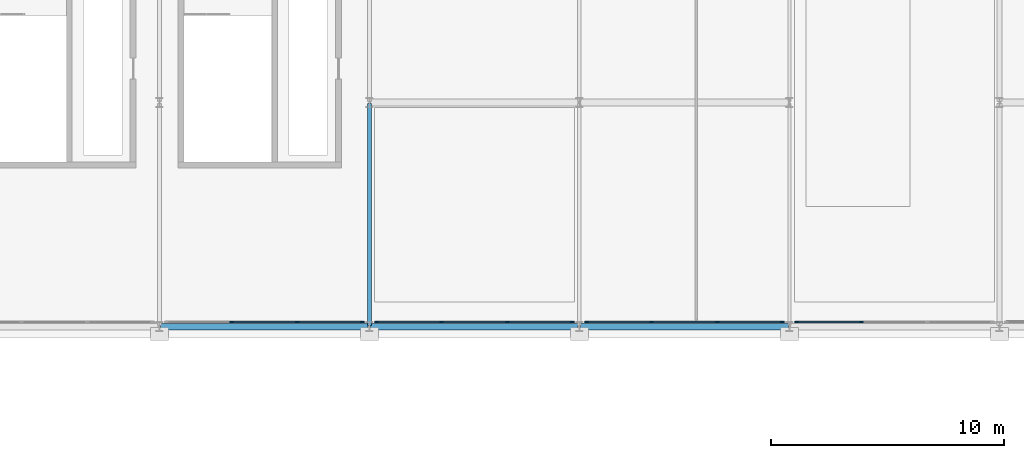
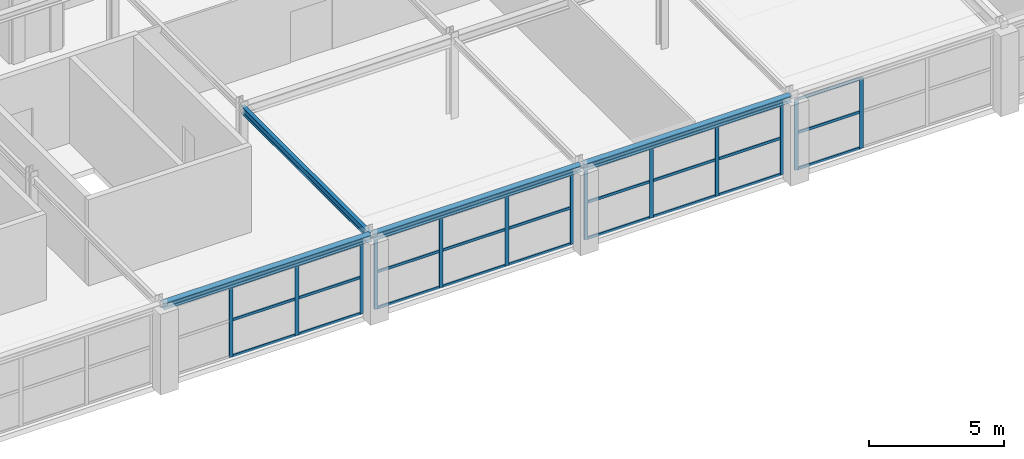
# One storey, part 25 of 52: 40 members, 4 beams, 4 elements without a shape of their own.
"""IFC4 building model written with IfcOpenShell, lengths in metres."""

import ifcopenshell
import ifcopenshell.guid

model = None  # the IFC model being written
_history = None  # IfcOwnerHistory: only IFC2X3 demands one
_inside = {}  # id of a spatial element -> (the spatial element, [elements in it])
_under = {}  # id of a project, library or spatial element -> (it, [spatial elements below it])
_declared = {}  # id of a project -> (the project, [libraries it declares])
_typed = {}  # id of a type object -> (the type object, [elements of that type])
_made_of = {}  # id of a material, layer set ... -> (it, [elements and type objects made of it])


def new_model(schema):
    """Start an empty IFC model of exactly this schema.

    Asked for "IFC4X3", IfcOpenShell would pick the latest addendum, in which some entities
    have other attributes; the version numbers below select the first issue.
    IFC2X3 requires an IfcOwnerHistory on every rooted entity: one is made here for all.
    """
    global model, _history
    if schema == "IFC4X3":
        model = ifcopenshell.file(schema_version=(4, 3, 0, 0))
    else:
        model = ifcopenshell.file(schema=schema)
    _inside.clear()
    _under.clear()
    _declared.clear()
    _typed.clear()
    _made_of.clear()
    _history = None
    if model.schema == "IFC2X3":
        org = make("IfcOrganization", Name="unknown")
        user = make(
            "IfcPersonAndOrganization",
            ThePerson=make("IfcPerson", FamilyName="unknown"),
            TheOrganization=org,
        )
        app = make(
            "IfcApplication",
            ApplicationDeveloper=org,
            Version="unknown",
            ApplicationFullName="unknown",
            ApplicationIdentifier="unknown",
        )
        _history = make(
            "IfcOwnerHistory",
            OwningUser=user,
            OwningApplication=app,
            ChangeAction="ADDED",
            CreationDate=0,
        )
    return model


def make(cls, **values):
    """One entity of the class cls with the attributes given. An attribute that is None is left unset."""
    return model.create_entity(
        cls, **{name: value for name, value in values.items() if value is not None}
    )


def rooted(cls, **values):
    """An entity with a GlobalId (a new one), such as an element, a storey or a relation."""
    return make(cls, GlobalId=ifcopenshell.guid.new(), OwnerHistory=_history, **values)


def si_unit(unit_type, name, prefix=None):
    """IfcSIUnit, for example si_unit("LENGTHUNIT", "METRE", prefix="MILLI")."""
    return make("IfcSIUnit", UnitType=unit_type, Prefix=prefix, Name=name)


def assignment(units):
    """IfcUnitAssignment: the units of a project."""
    return None if units is None else make("IfcUnitAssignment", Units=units)


def point(xyz):
    """IfcCartesianPoint."""
    return None if xyz is None else make("IfcCartesianPoint", Coordinates=xyz)


def direction(xyz):
    """IfcDirection."""
    return None if xyz is None else make("IfcDirection", DirectionRatios=xyz)


def frame(location, z_axis=None, x_axis=None):
    """IfcAxis2Placement3D, a coordinate frame: its origin and axes. An axis left out is left unset."""
    return make(
        "IfcAxis2Placement3D",
        Location=point(location),
        Axis=direction(z_axis),
        RefDirection=direction(x_axis),
    )


def frame_2d(location, x_axis=None):
    """IfcAxis2Placement2D, a coordinate frame in the plane: its origin and x axis."""
    return make(
        "IfcAxis2Placement2D", Location=point(location), RefDirection=direction(x_axis)
    )


def origin():
    """The frame at (0, 0, 0) with its axes left unset."""
    return frame((0.0, 0.0, 0.0))


def origin_2d():
    """The frame at (0, 0) in the plane with its x axis left unset."""
    return frame_2d((0.0, 0.0))


def place(relative_to, where):
    """IfcLocalPlacement: puts the frame where relative to a parent placement (None: the world)."""
    return make(
        "IfcLocalPlacement", PlacementRelTo=relative_to, RelativePlacement=where
    )


def context(
    kind, dimensions, precision=None, world=None, true_north=None, identifier=None
):
    """IfcGeometricRepresentationContext, for example the 3D "Model" context."""
    return make(
        "IfcGeometricRepresentationContext",
        ContextIdentifier=identifier,
        ContextType=kind,
        CoordinateSpaceDimension=dimensions,
        Precision=precision,
        WorldCoordinateSystem=world,
        TrueNorth=true_north,
    )


def subcontext(parent, identifier, kind, view, scale=None):
    """IfcGeometricRepresentationSubContext, for example "Body" below "Model"."""
    return make(
        "IfcGeometricRepresentationSubContext",
        ContextIdentifier=identifier,
        ContextType=kind,
        ParentContext=parent,
        TargetScale=scale,
        TargetView=view,
    )


def project(units=None, contexts=None):
    """IfcProject with its units and contexts."""
    return rooted(
        "IfcProject",
        Name="project",
        RepresentationContexts=contexts,
        UnitsInContext=assignment(units),
    )


def spatial(cls, under=None, at=None, **own):
    """A site, building, storey or space (cls), placed at a placement, below another one or the project."""
    s = rooted(cls, ObjectPlacement=at, **own)
    if under is not None:
        _under.setdefault(under.id(), (under, []))[1].append(s)
    return s


def profile(cls, at=None, kind="AREA", **sizes):
    """A parametric profile (cls). Its sizes go by their IFC names, for example OverallWidth=200.0."""
    return make(cls, ProfileType=kind, Position=at, **sizes)


def rectangle(**sizes):
    """IfcRectangleProfileDef."""
    return profile("IfcRectangleProfileDef", **sizes)


def i_section(**sizes):
    """IfcIShapeProfileDef."""
    return profile("IfcIShapeProfileDef", **sizes)


def extrude(swept, where, along, depth):
    """IfcExtrudedAreaSolid: the profile swept, set in the frame where, extruded along a direction by depth."""
    return make(
        "IfcExtrudedAreaSolid",
        SweptArea=swept,
        Position=where,
        ExtrudedDirection=direction(along),
        Depth=depth,
    )


def shape(context_of_items, identifier, shape_type, items):
    """IfcShapeRepresentation: the items that make up one representation, for example the "Body"."""
    return make(
        "IfcShapeRepresentation",
        ContextOfItems=context_of_items,
        RepresentationIdentifier=identifier,
        RepresentationType=shape_type,
        Items=items,
    )


def material(Name=None, Category=None):
    """IfcMaterial."""
    return make("IfcMaterial", Name=Name, Category=Category)


def layer(
    of_material, thickness, ventilated=None, Name=None, Category=None, Priority=None
):
    """IfcMaterialLayer: one layer of a wall or slab, of a material (None: an air gap)."""
    return make(
        "IfcMaterialLayer",
        Material=of_material,
        LayerThickness=thickness,
        IsVentilated=ventilated,
        Name=Name,
        Category=Category,
        Priority=Priority,
    )


def layer_set(layers, Name=None):
    """IfcMaterialLayerSet."""
    return make("IfcMaterialLayerSet", MaterialLayers=layers, LayerSetName=Name)


def material_profile(
    of_material, cross_section, Name=None, Category=None, Priority=None
):
    """IfcMaterialProfile: a cross section and its material."""
    return make(
        "IfcMaterialProfile",
        Name=Name,
        Material=of_material,
        Profile=cross_section,
        Priority=Priority,
        Category=Category,
    )


def profile_set(profiles, Name=None, composite=None):
    """IfcMaterialProfileSet."""
    return make(
        "IfcMaterialProfileSet",
        Name=Name,
        MaterialProfiles=profiles,
        CompositeProfile=composite,
    )


def made_of(thing, what):
    """Note that an element or type object is made of a material, layer set ...; save() writes the relation."""
    if what is not None:
        _made_of.setdefault(what.id(), (what, []))[1].append(thing)
    return thing


def type_object(cls, material=None, **own):
    """A type object (cls), such as IfcWallType, which elements share."""
    return made_of(rooted(cls, **own), material)


def element(
    cls,
    number,
    at=None,
    inside=None,
    cuts=None,
    type_object=None,
    material=None,
    context=None,
    identifier="Body",
    shape_type=None,
    held_by="IfcProductDefinitionShape",
    body=None,
    shapes=None,
    **own,
):
    """One element of the class cls, such as IfcWall. Its Tag is "e" and its number.

    at: its placement. inside: the storey or other place that contains it. cuts: it is an
    opening in that element (IfcRelVoidsElement). A single representation is given by context,
    identifier, shape_type and body (its items); several are given by shapes. held_by: the class
    of the entity that holds the representations. save() writes the other relations.
    """
    e = rooted(cls, Tag="e%d" % number, ObjectPlacement=at, **own)
    if body is not None:
        shapes = [shape(context, identifier, shape_type, body)]
    if shapes is not None:
        e.Representation = make(held_by, Representations=shapes)
    if inside is not None:
        _inside.setdefault(inside.id(), (inside, []))[1].append(e)
    if cuts is not None:
        rooted(
            "IfcRelVoidsElement", RelatingBuildingElement=cuts, RelatedOpeningElement=e
        )
    if type_object is not None:
        _typed.setdefault(type_object.id(), (type_object, []))[1].append(e)
    return made_of(e, material)


def aggregate(whole, parts):
    """IfcRelAggregates: a whole, such as a stair, and the parts it consists of."""
    return rooted("IfcRelAggregates", RelatingObject=whole, RelatedObjects=parts)


def save(model, path):
    """Write the relations noted so far, then the file.

    IfcRelAggregates (storeys below a building ...), IfcRelContainedInSpatialStructure (elements
    in a storey), IfcRelDefinesByType, IfcRelAssociatesMaterial and IfcRelDeclares: one each for
    every whole, place, type object, material and project.
    """
    for whole, parts in _under.values():
        aggregate(whole, parts)
    for where, things in _inside.values():
        rooted(
            "IfcRelContainedInSpatialStructure",
            RelatedElements=things,
            RelatingStructure=where,
        )
    for kind, things in _typed.values():
        rooted("IfcRelDefinesByType", RelatedObjects=things, RelatingType=kind)
    for what, things in _made_of.values():
        rooted("IfcRelAssociatesMaterial", RelatedObjects=things, RelatingMaterial=what)
    for by, libraries in _declared.values():
        rooted("IfcRelDeclares", RelatingContext=by, RelatedDefinitions=libraries)
    model.write(path)


model = new_model("IFC4")

# Units and contexts
model_context = context("Model", 3, precision=1e-05, world=origin(), true_north=direction((0.0, 1.0)))
body_context = subcontext(model_context, "Body", "Model", "MODEL_VIEW")
ifc_project = project(units=[si_unit("LENGTHUNIT", "METRE"), si_unit("AREAUNIT", "SQUARE_METRE"), si_unit("VOLUMEUNIT", "CUBIC_METRE"), si_unit("PLANEANGLEUNIT", "RADIAN"), si_unit("MASSUNIT", "GRAM", prefix="KILO")], contexts=[model_context])

# Site, building, storey
site_placement = place(None, origin())
site = spatial("IfcSite", under=ifc_project, at=site_placement, CompositionType="ELEMENT")
building_placement = place(site_placement, origin())
building = spatial("IfcBuilding", under=site, at=building_placement, Name="Myrtia Square Station", CompositionType="ELEMENT")
storey_placement = place(building_placement, frame((0.0, 0.0, 15.0)))
storey = spatial("IfcBuildingStorey", under=building, at=storey_placement, Name="L03", CompositionType="ELEMENT", Elevation=15.0)

# Beam
ifc_material_1 = material(Name="Steel S355", Category="steel")
ifc_material_profile_1 = material_profile(ifc_material_1, i_section(OverallWidth=0.159912109375, OverallDepth=0.330078125, WebThickness=0.007568359375, FlangeThickness=0.011474609375, FilletRadius=0.01806640625, at=origin_2d()), Name="IPE 330")
ifc_profile_set_1 = profile_set([ifc_material_profile_1], Name="Steel S355")
beam_type_1 = type_object("IfcBeamType", Name="BM-IPE330", PredefinedType="BEAM", material=ifc_profile_set_1)
beam_placement = place(storey_placement, frame((144.0, 86.449951171875, 3.489990234375), z_axis=(0.0, 1.0, 0.0), x_axis=(-1.0, 0.0, 0.0)))
element("IfcBeam", 1, at=beam_placement, inside=storey, type_object=beam_type_1, Name="Structural girder BMY-L03-0846", PredefinedType="BEAM", context=body_context, shape_type="SweptSolid", body=[
    extrude(i_section(OverallWidth=0.159912109375, OverallDepth=0.330078125, WebThickness=0.007568359375, FlangeThickness=0.011474609375, FilletRadius=0.01806640625, at=origin_2d()), origin(), (0.0, 0.0, 1.0), 9.5),
])

# Curtain wall, members
ifc_material_2 = material(Name="Dark bronze anodised aluminium", Category="aluminium")
ifc_layer = layer(ifc_material_2, 0.159912109375, Name="Dark bronze anodised aluminium")
ifc_layer_set = layer_set([ifc_layer], Name="Dark bronze anodised aluminium")
curtain_wall_type = type_object("IfcCurtainWallType", Name="CW-TYPE-41-845x320", PredefinedType="USERDEFINED", material=ifc_layer_set)
curtain_wall_1_placement = place(storey_placement, origin())
curtain_wall_1 = element("IfcCurtainWall", 2, at=curtain_wall_1_placement, inside=storey, type_object=curtain_wall_type, Name="Concourse curtain wall CW-L03-125", ObjectType="CONCOURSE CURTAIN WALL", PredefinedType="USERDEFINED")
ifc_material_profile_2 = material_profile(ifc_material_2, rectangle(XDim=0.06005859375, YDim=0.159912109375, at=origin_2d()), Name="ALU-M 60x160")
ifc_profile_set_2 = profile_set([ifc_material_profile_2], Name="Dark bronze anodised aluminium")
member_type_1 = type_object("IfcMemberType", Name="CWM-60x160", PredefinedType="MULLION", material=ifc_profile_set_2)
member_1_placement = place(storey_placement, frame((138.091552734375, 86.60009765625, 0.0), z_axis=(0.0, 0.0, 1.0), x_axis=(0.0, 1.0, 0.0)))
member_1 = element("IfcMember", 3, at=member_1_placement, type_object=member_type_1, Name="CW-125 mullion 2", PredefinedType="MULLION", context=body_context, shape_type="SweptSolid", body=[
    extrude(rectangle(XDim=0.06005859375, YDim=0.159912109375, at=origin_2d()), origin(), (0.0, 0.0, 1.0), 3.199951171875),
])
member_2_placement = place(storey_placement, frame((140.908447265625, 86.60009765625, 0.0), z_axis=(0.0, 0.0, 1.0), x_axis=(0.0, 1.0, 0.0)))
member_2 = element("IfcMember", 4, at=member_2_placement, type_object=member_type_1, Name="CW-125 mullion 3", PredefinedType="MULLION", context=body_context, shape_type="SweptSolid", body=[
    extrude(rectangle(XDim=0.06005859375, YDim=0.159912109375, at=origin_2d()), origin(), (0.0, 0.0, 1.0), 3.199951171875),
])
member_3_placement = place(storey_placement, frame((143.695068359375, 86.60009765625, 0.0), z_axis=(0.0, 0.0, 1.0), x_axis=(0.0, 1.0, 0.0)))
member_3 = element("IfcMember", 5, at=member_3_placement, type_object=member_type_1, Name="CW-125 mullion 4", PredefinedType="MULLION", context=body_context, shape_type="SweptSolid", body=[
    extrude(rectangle(XDim=0.06005859375, YDim=0.159912109375, at=origin_2d()), origin(), (0.0, 0.0, 1.0), 3.199951171875),
])

curtain_wall_2_placement = place(storey_placement, origin())
curtain_wall_2 = element("IfcCurtainWall", 6, at=curtain_wall_2_placement, inside=storey, type_object=curtain_wall_type, Name="Concourse curtain wall CW-L03-129", ObjectType="CONCOURSE CURTAIN WALL", PredefinedType="USERDEFINED")
member_4_placement = place(storey_placement, frame((144.304931640625, 86.60009765625, 0.0), z_axis=(0.0, 0.0, 1.0), x_axis=(0.0, 1.0, 0.0)))
member_4 = element("IfcMember", 7, at=member_4_placement, type_object=member_type_1, Name="CW-129 mullion 1", PredefinedType="MULLION", context=body_context, shape_type="SweptSolid", body=[
    extrude(rectangle(XDim=0.06005859375, YDim=0.159912109375, at=origin_2d()), origin(), (0.0, 0.0, 1.0), 3.199951171875),
])
member_5_placement = place(storey_placement, frame((147.091552734375, 86.60009765625, 0.0), z_axis=(0.0, 0.0, 1.0), x_axis=(0.0, 1.0, 0.0)))
member_5 = element("IfcMember", 8, at=member_5_placement, type_object=member_type_1, Name="CW-129 mullion 2", PredefinedType="MULLION", context=body_context, shape_type="SweptSolid", body=[
    extrude(rectangle(XDim=0.06005859375, YDim=0.159912109375, at=origin_2d()), origin(), (0.0, 0.0, 1.0), 3.199951171875),
])
member_6_placement = place(storey_placement, frame((149.908447265625, 86.60009765625, 0.0), z_axis=(0.0, 0.0, 1.0), x_axis=(0.0, 1.0, 0.0)))
member_6 = element("IfcMember", 9, at=member_6_placement, type_object=member_type_1, Name="CW-129 mullion 3", PredefinedType="MULLION", context=body_context, shape_type="SweptSolid", body=[
    extrude(rectangle(XDim=0.06005859375, YDim=0.159912109375, at=origin_2d()), origin(), (0.0, 0.0, 1.0), 3.199951171875),
])
member_7_placement = place(storey_placement, frame((152.695068359375, 86.60009765625, 0.0), z_axis=(0.0, 0.0, 1.0), x_axis=(0.0, 1.0, 0.0)))
member_7 = element("IfcMember", 10, at=member_7_placement, type_object=member_type_1, Name="CW-129 mullion 4", PredefinedType="MULLION", context=body_context, shape_type="SweptSolid", body=[
    extrude(rectangle(XDim=0.06005859375, YDim=0.159912109375, at=origin_2d()), origin(), (0.0, 0.0, 1.0), 3.199951171875),
])

curtain_wall_3_placement = place(storey_placement, origin())
curtain_wall_3 = element("IfcCurtainWall", 11, at=curtain_wall_3_placement, inside=storey, type_object=curtain_wall_type, Name="Concourse curtain wall CW-L03-133", ObjectType="CONCOURSE CURTAIN WALL", PredefinedType="USERDEFINED")
member_8_placement = place(storey_placement, frame((153.304931640625, 86.60009765625, 0.0), z_axis=(0.0, 0.0, 1.0), x_axis=(0.0, 1.0, 0.0)))
member_8 = element("IfcMember", 12, at=member_8_placement, type_object=member_type_1, Name="CW-133 mullion 1", PredefinedType="MULLION", context=body_context, shape_type="SweptSolid", body=[
    extrude(rectangle(XDim=0.06005859375, YDim=0.159912109375, at=origin_2d()), origin(), (0.0, 0.0, 1.0), 3.199951171875),
])
member_9_placement = place(storey_placement, frame((156.091552734375, 86.60009765625, 0.0), z_axis=(0.0, 0.0, 1.0), x_axis=(0.0, 1.0, 0.0)))
member_9 = element("IfcMember", 13, at=member_9_placement, type_object=member_type_1, Name="CW-133 mullion 2", PredefinedType="MULLION", context=body_context, shape_type="SweptSolid", body=[
    extrude(rectangle(XDim=0.06005859375, YDim=0.159912109375, at=origin_2d()), origin(), (0.0, 0.0, 1.0), 3.199951171875),
])
member_10_placement = place(storey_placement, frame((158.908447265625, 86.60009765625, 0.0), z_axis=(0.0, 0.0, 1.0), x_axis=(0.0, 1.0, 0.0)))
member_10 = element("IfcMember", 14, at=member_10_placement, type_object=member_type_1, Name="CW-133 mullion 3", PredefinedType="MULLION", context=body_context, shape_type="SweptSolid", body=[
    extrude(rectangle(XDim=0.06005859375, YDim=0.159912109375, at=origin_2d()), origin(), (0.0, 0.0, 1.0), 3.199951171875),
])
member_11_placement = place(storey_placement, frame((161.695068359375, 86.60009765625, 0.0), z_axis=(0.0, 0.0, 1.0), x_axis=(0.0, 1.0, 0.0)))
member_11 = element("IfcMember", 15, at=member_11_placement, type_object=member_type_1, Name="CW-133 mullion 4", PredefinedType="MULLION", context=body_context, shape_type="SweptSolid", body=[
    extrude(rectangle(XDim=0.06005859375, YDim=0.159912109375, at=origin_2d()), origin(), (0.0, 0.0, 1.0), 3.199951171875),
])

curtain_wall_4_placement = place(storey_placement, origin())
curtain_wall_4 = element("IfcCurtainWall", 16, at=curtain_wall_4_placement, inside=storey, type_object=curtain_wall_type, Name="Concourse curtain wall CW-L03-138", ObjectType="CONCOURSE CURTAIN WALL", PredefinedType="USERDEFINED")
member_12_placement = place(storey_placement, frame((162.304931640625, 86.60009765625, 0.0), z_axis=(0.0, 0.0, 1.0), x_axis=(0.0, 1.0, 0.0)))
member_12 = element("IfcMember", 17, at=member_12_placement, type_object=member_type_1, Name="CW-138 mullion 1", PredefinedType="MULLION", context=body_context, shape_type="SweptSolid", body=[
    extrude(rectangle(XDim=0.06005859375, YDim=0.159912109375, at=origin_2d()), origin(), (0.0, 0.0, 1.0), 3.199951171875),
])
member_13_placement = place(storey_placement, frame((165.091552734375, 86.60009765625, 0.0), z_axis=(0.0, 0.0, 1.0), x_axis=(0.0, 1.0, 0.0)))
member_13 = element("IfcMember", 18, at=member_13_placement, type_object=member_type_1, Name="CW-138 mullion 2", PredefinedType="MULLION", context=body_context, shape_type="SweptSolid", body=[
    extrude(rectangle(XDim=0.06005859375, YDim=0.159912109375, at=origin_2d()), origin(), (0.0, 0.0, 1.0), 3.199951171875),
])

# Member
ifc_material_profile_3 = material_profile(ifc_material_2, rectangle(XDim=0.06005859375, YDim=0.1201171875, at=origin_2d()), Name="ALU-T 60x120")
ifc_profile_set_3 = profile_set([ifc_material_profile_3], Name="Dark bronze anodised aluminium")
member_type_2 = type_object("IfcMemberType", Name="CWT-60x120", PredefinedType="USERDEFINED", material=ifc_profile_set_3)
member_14_placement = place(storey_placement, frame((138.12158203125, 86.60009765625, 0.030029296875), z_axis=(1.0, 0.0, 0.0), x_axis=(0.0, 1.0, 0.0)))
member_14 = element("IfcMember", 19, at=member_14_placement, type_object=member_type_2, Name="CW-125 transom 2.1", ObjectType="TRANSOM", PredefinedType="USERDEFINED", context=body_context, shape_type="SweptSolid", body=[
    extrude(rectangle(XDim=0.06005859375, YDim=0.1201171875, at=origin_2d()), origin(), (0.0, 0.0, 1.0), 2.7568359375),
])

member_15_placement = place(storey_placement, frame((138.12158203125, 86.60009765625, 1.6640625), z_axis=(1.0, 0.0, 0.0), x_axis=(0.0, 1.0, 0.0)))
member_15 = element("IfcMember", 20, at=member_15_placement, type_object=member_type_2, Name="CW-125 transom 2.2", ObjectType="TRANSOM", PredefinedType="USERDEFINED", context=body_context, shape_type="SweptSolid", body=[
    extrude(rectangle(XDim=0.06005859375, YDim=0.1201171875, at=origin_2d()), origin(), (0.0, 0.0, 1.0), 2.7568359375),
])

member_16_placement = place(storey_placement, frame((138.12158203125, 86.60009765625, 3.169921875), z_axis=(1.0, 0.0, 0.0), x_axis=(0.0, 1.0, 0.0)))
member_16 = element("IfcMember", 21, at=member_16_placement, type_object=member_type_2, Name="CW-125 transom 2.3", ObjectType="TRANSOM", PredefinedType="USERDEFINED", context=body_context, shape_type="SweptSolid", body=[
    extrude(rectangle(XDim=0.06005859375, YDim=0.1201171875, at=origin_2d()), origin(), (0.0, 0.0, 1.0), 2.7568359375),
])

member_17_placement = place(storey_placement, frame((140.938232421875, 86.60009765625, 0.030029296875), z_axis=(1.0, 0.0, 0.0), x_axis=(0.0, 1.0, 0.0)))
member_17 = element("IfcMember", 22, at=member_17_placement, type_object=member_type_2, Name="CW-125 transom 3.1", ObjectType="TRANSOM", PredefinedType="USERDEFINED", context=body_context, shape_type="SweptSolid", body=[
    extrude(rectangle(XDim=0.06005859375, YDim=0.1201171875, at=origin_2d()), origin(), (0.0, 0.0, 1.0), 2.726806640625),
])

member_18_placement = place(storey_placement, frame((140.938232421875, 86.60009765625, 1.6640625), z_axis=(1.0, 0.0, 0.0), x_axis=(0.0, 1.0, 0.0)))
member_18 = element("IfcMember", 23, at=member_18_placement, type_object=member_type_2, Name="CW-125 transom 3.2", ObjectType="TRANSOM", PredefinedType="USERDEFINED", context=body_context, shape_type="SweptSolid", body=[
    extrude(rectangle(XDim=0.06005859375, YDim=0.1201171875, at=origin_2d()), origin(), (0.0, 0.0, 1.0), 2.726806640625),
])

member_19_placement = place(storey_placement, frame((140.938232421875, 86.60009765625, 3.169921875), z_axis=(1.0, 0.0, 0.0), x_axis=(0.0, 1.0, 0.0)))
member_19 = element("IfcMember", 24, at=member_19_placement, type_object=member_type_2, Name="CW-125 transom 3.3", ObjectType="TRANSOM", PredefinedType="USERDEFINED", context=body_context, shape_type="SweptSolid", body=[
    extrude(rectangle(XDim=0.06005859375, YDim=0.1201171875, at=origin_2d()), origin(), (0.0, 0.0, 1.0), 2.726806640625),
])

aggregate(curtain_wall_1, [member_1, member_2, member_3, member_14, member_15, member_16, member_17, member_18, member_19])

member_20_placement = place(storey_placement, frame((144.3349609375, 86.60009765625, 0.030029296875), z_axis=(1.0, 0.0, 0.0), x_axis=(0.0, 1.0, 0.0)))
member_20 = element("IfcMember", 25, at=member_20_placement, type_object=member_type_2, Name="CW-129 transom 1.1", ObjectType="TRANSOM", PredefinedType="USERDEFINED", context=body_context, shape_type="SweptSolid", body=[
    extrude(rectangle(XDim=0.06005859375, YDim=0.1201171875, at=origin_2d()), origin(), (0.0, 0.0, 1.0), 2.726806640625),
])

member_21_placement = place(storey_placement, frame((144.3349609375, 86.60009765625, 1.6640625), z_axis=(1.0, 0.0, 0.0), x_axis=(0.0, 1.0, 0.0)))
member_21 = element("IfcMember", 26, at=member_21_placement, type_object=member_type_2, Name="CW-129 transom 1.2", ObjectType="TRANSOM", PredefinedType="USERDEFINED", context=body_context, shape_type="SweptSolid", body=[
    extrude(rectangle(XDim=0.06005859375, YDim=0.1201171875, at=origin_2d()), origin(), (0.0, 0.0, 1.0), 2.726806640625),
])

member_22_placement = place(storey_placement, frame((144.3349609375, 86.60009765625, 3.169921875), z_axis=(1.0, 0.0, 0.0), x_axis=(0.0, 1.0, 0.0)))
member_22 = element("IfcMember", 27, at=member_22_placement, type_object=member_type_2, Name="CW-129 transom 1.3", ObjectType="TRANSOM", PredefinedType="USERDEFINED", context=body_context, shape_type="SweptSolid", body=[
    extrude(rectangle(XDim=0.06005859375, YDim=0.1201171875, at=origin_2d()), origin(), (0.0, 0.0, 1.0), 2.726806640625),
])

member_23_placement = place(storey_placement, frame((147.12158203125, 86.60009765625, 0.030029296875), z_axis=(1.0, 0.0, 0.0), x_axis=(0.0, 1.0, 0.0)))
member_23 = element("IfcMember", 28, at=member_23_placement, type_object=member_type_2, Name="CW-129 transom 2.1", ObjectType="TRANSOM", PredefinedType="USERDEFINED", context=body_context, shape_type="SweptSolid", body=[
    extrude(rectangle(XDim=0.06005859375, YDim=0.1201171875, at=origin_2d()), origin(), (0.0, 0.0, 1.0), 2.7568359375),
])

member_24_placement = place(storey_placement, frame((147.12158203125, 86.60009765625, 1.6640625), z_axis=(1.0, 0.0, 0.0), x_axis=(0.0, 1.0, 0.0)))
member_24 = element("IfcMember", 29, at=member_24_placement, type_object=member_type_2, Name="CW-129 transom 2.2", ObjectType="TRANSOM", PredefinedType="USERDEFINED", context=body_context, shape_type="SweptSolid", body=[
    extrude(rectangle(XDim=0.06005859375, YDim=0.1201171875, at=origin_2d()), origin(), (0.0, 0.0, 1.0), 2.7568359375),
])

member_25_placement = place(storey_placement, frame((147.12158203125, 86.60009765625, 3.169921875), z_axis=(1.0, 0.0, 0.0), x_axis=(0.0, 1.0, 0.0)))
member_25 = element("IfcMember", 30, at=member_25_placement, type_object=member_type_2, Name="CW-129 transom 2.3", ObjectType="TRANSOM", PredefinedType="USERDEFINED", context=body_context, shape_type="SweptSolid", body=[
    extrude(rectangle(XDim=0.06005859375, YDim=0.1201171875, at=origin_2d()), origin(), (0.0, 0.0, 1.0), 2.7568359375),
])

member_26_placement = place(storey_placement, frame((149.938232421875, 86.60009765625, 0.030029296875), z_axis=(1.0, 0.0, 0.0), x_axis=(0.0, 1.0, 0.0)))
member_26 = element("IfcMember", 31, at=member_26_placement, type_object=member_type_2, Name="CW-129 transom 3.1", ObjectType="TRANSOM", PredefinedType="USERDEFINED", context=body_context, shape_type="SweptSolid", body=[
    extrude(rectangle(XDim=0.06005859375, YDim=0.1201171875, at=origin_2d()), origin(), (0.0, 0.0, 1.0), 2.726806640625),
])

member_27_placement = place(storey_placement, frame((149.938232421875, 86.60009765625, 1.6640625), z_axis=(1.0, 0.0, 0.0), x_axis=(0.0, 1.0, 0.0)))
member_27 = element("IfcMember", 32, at=member_27_placement, type_object=member_type_2, Name="CW-129 transom 3.2", ObjectType="TRANSOM", PredefinedType="USERDEFINED", context=body_context, shape_type="SweptSolid", body=[
    extrude(rectangle(XDim=0.06005859375, YDim=0.1201171875, at=origin_2d()), origin(), (0.0, 0.0, 1.0), 2.726806640625),
])

member_28_placement = place(storey_placement, frame((149.938232421875, 86.60009765625, 3.169921875), z_axis=(1.0, 0.0, 0.0), x_axis=(0.0, 1.0, 0.0)))
member_28 = element("IfcMember", 33, at=member_28_placement, type_object=member_type_2, Name="CW-129 transom 3.3", ObjectType="TRANSOM", PredefinedType="USERDEFINED", context=body_context, shape_type="SweptSolid", body=[
    extrude(rectangle(XDim=0.06005859375, YDim=0.1201171875, at=origin_2d()), origin(), (0.0, 0.0, 1.0), 2.726806640625),
])

aggregate(curtain_wall_2, [member_4, member_5, member_6, member_7, member_20, member_21, member_22, member_23, member_24, member_25, member_26, member_27, member_28])

member_29_placement = place(storey_placement, frame((153.3349609375, 86.60009765625, 0.030029296875), z_axis=(1.0, 0.0, 0.0), x_axis=(0.0, 1.0, 0.0)))
member_29 = element("IfcMember", 34, at=member_29_placement, type_object=member_type_2, Name="CW-133 transom 1.1", ObjectType="TRANSOM", PredefinedType="USERDEFINED", context=body_context, shape_type="SweptSolid", body=[
    extrude(rectangle(XDim=0.06005859375, YDim=0.1201171875, at=origin_2d()), origin(), (0.0, 0.0, 1.0), 2.726806640625),
])

member_30_placement = place(storey_placement, frame((153.3349609375, 86.60009765625, 1.6640625), z_axis=(1.0, 0.0, 0.0), x_axis=(0.0, 1.0, 0.0)))
member_30 = element("IfcMember", 35, at=member_30_placement, type_object=member_type_2, Name="CW-133 transom 1.2", ObjectType="TRANSOM", PredefinedType="USERDEFINED", context=body_context, shape_type="SweptSolid", body=[
    extrude(rectangle(XDim=0.06005859375, YDim=0.1201171875, at=origin_2d()), origin(), (0.0, 0.0, 1.0), 2.726806640625),
])

member_31_placement = place(storey_placement, frame((153.3349609375, 86.60009765625, 3.169921875), z_axis=(1.0, 0.0, 0.0), x_axis=(0.0, 1.0, 0.0)))
member_31 = element("IfcMember", 36, at=member_31_placement, type_object=member_type_2, Name="CW-133 transom 1.3", ObjectType="TRANSOM", PredefinedType="USERDEFINED", context=body_context, shape_type="SweptSolid", body=[
    extrude(rectangle(XDim=0.06005859375, YDim=0.1201171875, at=origin_2d()), origin(), (0.0, 0.0, 1.0), 2.726806640625),
])

member_32_placement = place(storey_placement, frame((156.12158203125, 86.60009765625, 0.030029296875), z_axis=(1.0, 0.0, 0.0), x_axis=(0.0, 1.0, 0.0)))
member_32 = element("IfcMember", 37, at=member_32_placement, type_object=member_type_2, Name="CW-133 transom 2.1", ObjectType="TRANSOM", PredefinedType="USERDEFINED", context=body_context, shape_type="SweptSolid", body=[
    extrude(rectangle(XDim=0.06005859375, YDim=0.1201171875, at=origin_2d()), origin(), (0.0, 0.0, 1.0), 2.7568359375),
])

member_33_placement = place(storey_placement, frame((156.12158203125, 86.60009765625, 1.6640625), z_axis=(1.0, 0.0, 0.0), x_axis=(0.0, 1.0, 0.0)))
member_33 = element("IfcMember", 38, at=member_33_placement, type_object=member_type_2, Name="CW-133 transom 2.2", ObjectType="TRANSOM", PredefinedType="USERDEFINED", context=body_context, shape_type="SweptSolid", body=[
    extrude(rectangle(XDim=0.06005859375, YDim=0.1201171875, at=origin_2d()), origin(), (0.0, 0.0, 1.0), 2.7568359375),
])

member_34_placement = place(storey_placement, frame((156.12158203125, 86.60009765625, 3.169921875), z_axis=(1.0, 0.0, 0.0), x_axis=(0.0, 1.0, 0.0)))
member_34 = element("IfcMember", 39, at=member_34_placement, type_object=member_type_2, Name="CW-133 transom 2.3", ObjectType="TRANSOM", PredefinedType="USERDEFINED", context=body_context, shape_type="SweptSolid", body=[
    extrude(rectangle(XDim=0.06005859375, YDim=0.1201171875, at=origin_2d()), origin(), (0.0, 0.0, 1.0), 2.7568359375),
])

member_35_placement = place(storey_placement, frame((158.938232421875, 86.60009765625, 0.030029296875), z_axis=(1.0, 0.0, 0.0), x_axis=(0.0, 1.0, 0.0)))
member_35 = element("IfcMember", 40, at=member_35_placement, type_object=member_type_2, Name="CW-133 transom 3.1", ObjectType="TRANSOM", PredefinedType="USERDEFINED", context=body_context, shape_type="SweptSolid", body=[
    extrude(rectangle(XDim=0.06005859375, YDim=0.1201171875, at=origin_2d()), origin(), (0.0, 0.0, 1.0), 2.726806640625),
])

member_36_placement = place(storey_placement, frame((158.938232421875, 86.60009765625, 1.6640625), z_axis=(1.0, 0.0, 0.0), x_axis=(0.0, 1.0, 0.0)))
member_36 = element("IfcMember", 41, at=member_36_placement, type_object=member_type_2, Name="CW-133 transom 3.2", ObjectType="TRANSOM", PredefinedType="USERDEFINED", context=body_context, shape_type="SweptSolid", body=[
    extrude(rectangle(XDim=0.06005859375, YDim=0.1201171875, at=origin_2d()), origin(), (0.0, 0.0, 1.0), 2.726806640625),
])

member_37_placement = place(storey_placement, frame((158.938232421875, 86.60009765625, 3.169921875), z_axis=(1.0, 0.0, 0.0), x_axis=(0.0, 1.0, 0.0)))
member_37 = element("IfcMember", 42, at=member_37_placement, type_object=member_type_2, Name="CW-133 transom 3.3", ObjectType="TRANSOM", PredefinedType="USERDEFINED", context=body_context, shape_type="SweptSolid", body=[
    extrude(rectangle(XDim=0.06005859375, YDim=0.1201171875, at=origin_2d()), origin(), (0.0, 0.0, 1.0), 2.726806640625),
])

aggregate(curtain_wall_3, [member_8, member_9, member_10, member_11, member_29, member_30, member_31, member_32, member_33, member_34, member_35, member_36, member_37])

member_38_placement = place(storey_placement, frame((162.3349609375, 86.60009765625, 0.030029296875), z_axis=(1.0, 0.0, 0.0), x_axis=(0.0, 1.0, 0.0)))
member_38 = element("IfcMember", 43, at=member_38_placement, type_object=member_type_2, Name="CW-138 transom 1.1", ObjectType="TRANSOM", PredefinedType="USERDEFINED", context=body_context, shape_type="SweptSolid", body=[
    extrude(rectangle(XDim=0.06005859375, YDim=0.1201171875, at=origin_2d()), origin(), (0.0, 0.0, 1.0), 2.726806640625),
])

member_39_placement = place(storey_placement, frame((162.3349609375, 86.60009765625, 1.6640625), z_axis=(1.0, 0.0, 0.0), x_axis=(0.0, 1.0, 0.0)))
member_39 = element("IfcMember", 44, at=member_39_placement, type_object=member_type_2, Name="CW-138 transom 1.2", ObjectType="TRANSOM", PredefinedType="USERDEFINED", context=body_context, shape_type="SweptSolid", body=[
    extrude(rectangle(XDim=0.06005859375, YDim=0.1201171875, at=origin_2d()), origin(), (0.0, 0.0, 1.0), 2.726806640625),
])

member_40_placement = place(storey_placement, frame((162.3349609375, 86.60009765625, 3.169921875), z_axis=(1.0, 0.0, 0.0), x_axis=(0.0, 1.0, 0.0)))
member_40 = element("IfcMember", 45, at=member_40_placement, type_object=member_type_2, Name="CW-138 transom 1.3", ObjectType="TRANSOM", PredefinedType="USERDEFINED", context=body_context, shape_type="SweptSolid", body=[
    extrude(rectangle(XDim=0.06005859375, YDim=0.1201171875, at=origin_2d()), origin(), (0.0, 0.0, 1.0), 2.726806640625),
])

aggregate(curtain_wall_4, [member_12, member_13, member_38, member_39, member_40])

# Beams
ifc_material_profile_4 = material_profile(ifc_material_1, i_section(OverallWidth=0.280029296875, OverallDepth=0.280029296875, WebThickness=0.010498046875, FlangeThickness=0.01806640625, FilletRadius=0.02392578125, at=origin_2d()), Name="HEB 280")
ifc_profile_set_4 = profile_set([ifc_material_profile_4], Name="Steel S355")
beam_type_2 = type_object("IfcBeamType", Name="SPN-HEB280", PredefinedType="SPANDREL", material=ifc_profile_set_4)
for number, where, z_axis, x_axis, name in (
    (46, (135.050048828125, 86.39990234375, 3.52001953125), (1.0, 0.0, 0.0), (0.0, 1.0, 0.0), "Structural girder SPN-L03-0236"),
    (47, (144.050048828125, 86.39990234375, 3.514892578125), (1.0, 0.0, 0.0), (0.0, 1.0, 0.0), "Structural girder SPN-L03-0237"),
    (48, (153.050048828125, 86.39990234375, 3.514892578125), (1.0, 0.0, 0.0), (0.0, 1.0, 0.0), "Structural girder SPN-L03-0238"),
):
    element("IfcBeam", number, at=place(storey_placement, frame(where, z_axis=z_axis, x_axis=x_axis)), inside=storey, type_object=beam_type_2, Name=name, PredefinedType="SPANDREL", context=body_context, shape_type="SweptSolid", body=[
        extrude(i_section(OverallWidth=0.280029296875, OverallDepth=0.280029296875, WebThickness=0.010498046875, FlangeThickness=0.01806640625, FilletRadius=0.02392578125, at=origin_2d()), origin(), (0.0, 0.0, 1.0), 8.89990234375),
    ])

save(model, "model.ifc")
